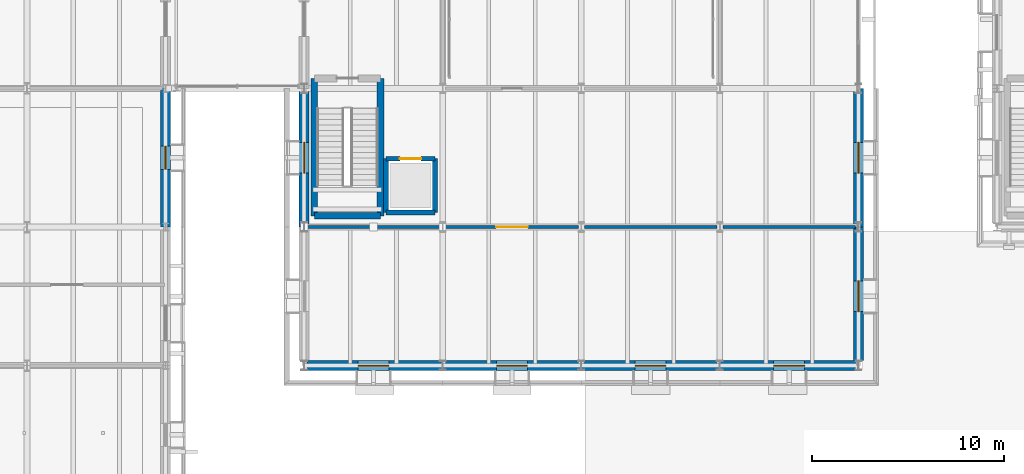
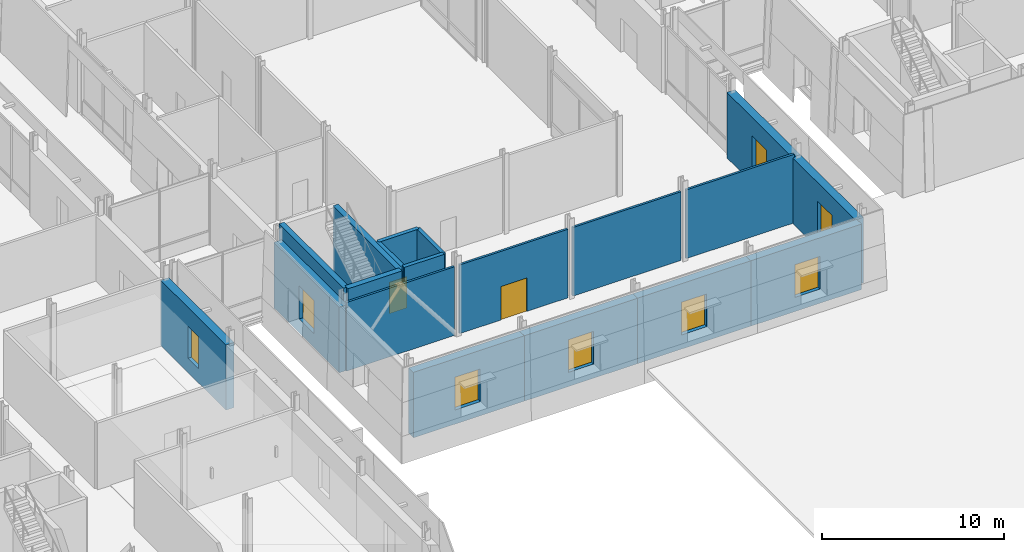
# One storey, part 70 of 120: 19 walls, 8 windows, 2 doors, 10 openings.
"""IFC4 building model written with IfcOpenShell, lengths in metres."""

from ifc_helpers import new_model, si_unit, direction, frame, frame_2d, origin, place, context, subcontext, project, spatial, rectangle, extrude, material, layer, layer_set, type_object, element, fill, save


model = new_model("IFC4")

# Units and contexts
model_context = context("Model", 3, precision=1e-05, world=origin(), true_north=direction((0.0, 1.0)))
body_context = subcontext(model_context, "Body", "Model", "MODEL_VIEW")
ifc_project = project(units=[si_unit("LENGTHUNIT", "METRE"), si_unit("AREAUNIT", "SQUARE_METRE"), si_unit("VOLUMEUNIT", "CUBIC_METRE"), si_unit("PLANEANGLEUNIT", "RADIAN"), si_unit("MASSUNIT", "GRAM", prefix="KILO")], contexts=[model_context])

# Site, building, storey
site_placement = place(None, origin())
site = spatial("IfcSite", under=ifc_project, at=site_placement, CompositionType="ELEMENT")
building_placement = place(site_placement, origin())
building = spatial("IfcBuilding", under=site, at=building_placement, Name="Narikvali Park Central Library", CompositionType="ELEMENT")
storey_placement = place(building_placement, origin())
storey = spatial("IfcBuildingStorey", under=building, at=storey_placement, Name="L00", CompositionType="ELEMENT", Elevation=0.0)

# Wall
ifc_material_1 = material(Name="Gypsum Board on Galvanised Steel Studs", Category="steel")
ifc_layer_1 = layer(ifc_material_1, 0.139892578125, Name="Gypsum Board on Galvanised Steel Studs")
ifc_layer_set_1 = layer_set([ifc_layer_1], Name="Gypsum Board on Galvanised Steel Studs")
wall_type_1 = type_object("IfcWallType", Name="Periodicals Partition Wall 140", PredefinedType="PARTITIONING", material=ifc_layer_set_1)
wall_1_placement = place(storey_placement, frame((28.9541015625, 57.60009765625, 0.0), z_axis=(0.0, 0.0, 1.0), x_axis=(1.0, 0.0, 0.0)))
element("IfcWall", 1, at=wall_1_placement, inside=storey, type_object=wall_type_1, Name="Newspapers and Current Affairs Reading Room Partition N", PredefinedType="PARTITIONING", context=body_context, shape_type="SweptSolid", body=[
    extrude(rectangle(XDim=6.888916015625, YDim=0.139892578125, at=frame_2d((3.4443359375, 0.0))), origin(), (0.0, 0.0, 1.0), 4.614990234375),
])

# Wall, opening, door
wall_2_placement = place(storey_placement, frame((36.156982421875, 57.60009765625, 0.0), z_axis=(0.0, 0.0, 1.0), x_axis=(1.0, 0.0, 0.0)))
wall_2 = element("IfcWall", 2, at=wall_2_placement, inside=storey, type_object=wall_type_1, Name="Newspapers and Current Affairs Reading Room Partition N", PredefinedType="PARTITIONING", context=body_context, shape_type="SweptSolid", body=[
    extrude(rectangle(XDim=6.885986328125, YDim=0.139892578125, at=frame_2d((3.44287109375, 0.0))), origin(), (0.0, 0.0, 1.0), 4.614990234375),
])
opening_1_placement = place(wall_2_placement, frame((2.617919921875, 0.0, 0.0)))
opening_1 = element("IfcOpeningElement", 3, at=opening_1_placement, cuts=wall_2, Name="Opening ID-0087", PredefinedType="OPENING", context=body_context, shape_type="SweptSolid", body=[
    extrude(rectangle(XDim=1.64990234375, YDim=2.25, at=frame_2d((0.824951171875, 1.125))), frame((0.0, 0.08203125, 0.0), z_axis=(0.0, -1.0, 0.0), x_axis=(1.0, 0.0, 0.0)), (0.0, 0.0, 1.0), 0.163818359375),
])
ifc_material_2 = material(Name="Caucasian Oak and Tempered Glass", Category="glass")
door_type_1 = type_object("IfcDoorType", Name="Open Stacks Double Glazed Door 1650x2250", OperationType="DOUBLE_DOOR_SINGLE_SWING", PredefinedType="DOOR", material=ifc_material_2)
door_1_placement = place(opening_1_placement, frame((1.64990234375, 0.0, 0.0), z_axis=(0.0, 0.0, 1.0), x_axis=(-1.0, 0.0, 0.0)))
door_1 = element("IfcDoor", 4, at=door_1_placement, inside=storey, type_object=door_type_1, Name="Newspapers and Current Affairs Reading Room Door ID-0087", OperationType="DOUBLE_DOOR_SINGLE_SWING", OverallHeight=2.25, OverallWidth=1.64990234375, PredefinedType="DOOR", context=body_context, shape_type="SweptSolid", body=[
    extrude(rectangle(XDim=1.64990234375, YDim=2.25, at=frame_2d((0.824951171875, 1.125))), frame((0.0, 0.02490234375, 0.0), z_axis=(0.0, -1.0, 0.0), x_axis=(1.0, 0.0, 0.0)), (0.0, 0.0, 1.0), 0.050048828125),
])
fill(opening_1, door_1)

# Walls
wall_3_placement = place(storey_placement, frame((43.35693359375, 57.60009765625, 0.0), z_axis=(0.0, 0.0, 1.0), x_axis=(1.0, 0.0, 0.0)))
element("IfcWall", 5, at=wall_3_placement, inside=storey, type_object=wall_type_1, Name="Newspapers and Current Affairs Reading Room Partition N", PredefinedType="PARTITIONING", context=body_context, shape_type="SweptSolid", body=[
    extrude(rectangle(XDim=6.885986328125, YDim=0.139892578125, at=frame_2d((3.44287109375, 0.0))), origin(), (0.0, 0.0, 1.0), 4.614990234375),
])
wall_4_placement = place(storey_placement, frame((50.556884765625, 57.60009765625, 0.0), z_axis=(0.0, 0.0, 1.0), x_axis=(1.0, 0.0, 0.0)))
element("IfcWall", 6, at=wall_4_placement, inside=storey, type_object=wall_type_1, Name="Newspapers and Current Affairs Reading Room Partition N", PredefinedType="PARTITIONING", context=body_context, shape_type="SweptSolid", body=[
    extrude(rectangle(XDim=6.88916015625, YDim=0.139892578125, at=frame_2d((3.444580078125, 0.0))), origin(), (0.0, 0.0, 1.0), 4.614990234375),
])
ifc_material_3 = material(Name="Concrete C40/50", Category="concrete")
ifc_layer_2 = layer(ifc_material_3, 0.35009765625, Name="Concrete C40/50")
ifc_layer_set_2 = layer_set([ifc_layer_2], Name="Concrete C40/50")
wall_type_2 = type_object("IfcWallType", Name="Reinforced Concrete Core Shear Wall 350", PredefinedType="SHEAR", material=ifc_layer_set_2)
wall_5_placement = place(storey_placement, frame((29.330078125, 58.179931640625, 0.0), z_axis=(0.0, 0.0, 1.0), x_axis=(1.0, 0.0, 0.0)))
element("IfcWall", 7, at=wall_5_placement, inside=storey, type_object=wall_type_2, Name="C4A L00 Stair Core Shear Wall S", PredefinedType="SHEAR", context=body_context, shape_type="SweptSolid", body=[
    extrude(rectangle(XDim=3.43994140625, YDim=0.35009765625, at=frame_2d((1.719970703125, 0.0))), origin(), (0.0, 0.0, 1.0), 5.1201171875),
])
for number, where, z_axis, x_axis, name in (
    (8, (32.77001953125, 58.179931640625, 0.0), (0.0, 0.0, 1.0), (0.0, 1.0, 0.0), "C4A L00 Stair Core Shear Wall E"),
    (9, (29.330078125, 65.320068359375, 0.0), (0.0, 0.0, 1.0), (0.0, -1.0, 0.0), "C4A L00 Stair Core Shear Wall W"),
):
    element("IfcWall", number, at=place(storey_placement, frame(where, z_axis=z_axis, x_axis=x_axis)), inside=storey, type_object=wall_type_2, Name=name, PredefinedType="SHEAR", context=body_context, shape_type="SweptSolid", body=[
        extrude(rectangle(XDim=7.14013671875, YDim=0.35009765625, at=frame_2d((3.570068359375, 0.0))), origin(), (0.0, 0.0, 1.0), 5.1201171875),
    ])
ifc_layer_3 = layer(ifc_material_3, 0.25, Name="Concrete C40/50")
ifc_layer_set_3 = layer_set([ifc_layer_3], Name="Concrete C40/50")
wall_type_3 = type_object("IfcWallType", Name="Reinforced Concrete Lift Shaft Wall 250", PredefinedType="SHEAR", material=ifc_layer_set_3)
wall_6_placement = place(storey_placement, frame((33.050048828125, 58.35009765625, 0.0), z_axis=(0.0, 0.0, 1.0), x_axis=(1.0, 0.0, 0.0)))
element("IfcWall", 10, at=wall_6_placement, inside=storey, type_object=wall_type_3, Name="L-05 L00 Lift Shaft Wall S", PredefinedType="SHEAR", context=body_context, shape_type="SweptSolid", body=[
    extrude(rectangle(XDim=2.550048828125, YDim=0.25, at=frame_2d((1.27490234375, 0.0))), origin(), (0.0, 0.0, 1.0), 5.1201171875),
])
wall_7_placement = place(storey_placement, frame((35.60009765625, 58.35009765625, 0.0), z_axis=(0.0, 0.0, 1.0), x_axis=(0.0, 1.0, 0.0)))
element("IfcWall", 11, at=wall_7_placement, inside=storey, type_object=wall_type_3, Name="L-05 L00 Lift Shaft Wall E", PredefinedType="SHEAR", context=body_context, shape_type="SweptSolid", body=[
    extrude(rectangle(XDim=2.7998046875, YDim=0.25, at=frame_2d((1.39990234375, 0.0))), origin(), (0.0, 0.0, 1.0), 5.1201171875),
])

# Wall, opening, door
wall_8_placement = place(storey_placement, frame((35.60009765625, 61.14990234375, 0.0), z_axis=(0.0, 0.0, 1.0), x_axis=(-1.0, 0.0, 0.0)))
wall_8 = element("IfcWall", 12, at=wall_8_placement, inside=storey, type_object=wall_type_3, Name="L-05 L00 Lift Shaft Wall N", PredefinedType="SHEAR", context=body_context, shape_type="SweptSolid", body=[
    extrude(rectangle(XDim=2.550048828125, YDim=0.25, at=frame_2d((1.27490234375, 0.0))), origin(), (0.0, 0.0, 1.0), 5.1201171875),
])
opening_2_placement = place(wall_8_placement, frame((0.72509765625, 0.0, 0.0)))
opening_2 = element("IfcOpeningElement", 13, at=opening_2_placement, cuts=wall_8, Name="Opening LD-023", PredefinedType="OPENING", context=body_context, shape_type="SweptSolid", body=[
    extrude(rectangle(XDim=1.10009765625, YDim=2.10009765625, at=frame_2d((0.550048828125, 1.050048828125))), frame((0.0, 0.136962890625, 0.0), z_axis=(0.0, -1.0, 0.0), x_axis=(1.0, 0.0, 0.0)), (0.0, 0.0, 1.0), 0.27392578125),
])
ifc_material_4 = material(Name="Brushed Stainless Steel S355", Category="steel")
door_type_2 = type_object("IfcDoorType", Name="Passenger Lift Sliding Landing Door 1100x2100", OperationType="SLIDING_TO_LEFT", PredefinedType="DOOR", material=ifc_material_4)
door_2_placement = place(opening_2_placement, origin())
door_2 = element("IfcDoor", 14, at=door_2_placement, inside=storey, type_object=door_type_2, Name="L-05 L00 Lift Landing Sliding Door LD-023", OperationType="SLIDING_TO_LEFT", OverallHeight=2.10009765625, OverallWidth=1.10009765625, PredefinedType="DOOR", context=body_context, shape_type="SweptSolid", body=[
    extrude(rectangle(XDim=1.10009765625, YDim=2.10009765625, at=frame_2d((0.550048828125, 1.050048828125))), frame((0.0, 0.02490234375, 0.0), z_axis=(0.0, -1.0, 0.0), x_axis=(1.0, 0.0, 0.0)), (0.0, 0.0, 1.0), 0.050048828125),
])
fill(opening_2, door_2)

# Wall
wall_9_placement = place(storey_placement, frame((33.050048828125, 61.14990234375, 0.0), z_axis=(0.0, 0.0, 1.0), x_axis=(0.0, -1.0, 0.0)))
element("IfcWall", 15, at=wall_9_placement, inside=storey, type_object=wall_type_3, Name="L-05 L00 Lift Shaft Wall W", PredefinedType="SHEAR", context=body_context, shape_type="SweptSolid", body=[
    extrude(rectangle(XDim=2.7998046875, YDim=0.25, at=frame_2d((1.39990234375, 0.0))), origin(), (0.0, 0.0, 1.0), 5.1201171875),
])

# Wall, opening, window
ifc_material_5 = material(Name="White Rusticated Limestone over Concrete C35/45", Category="masonry")
ifc_layer_4 = layer(ifc_material_5, 0.52001953125, Name="White Rusticated Limestone over Concrete C35/45")
ifc_layer_set_4 = layer_set([ifc_layer_4], Name="White Rusticated Limestone over Concrete C35/45")
wall_type_4 = type_object("IfcWallType", Name="White Limestone Ashlar Plinth Wall 520", PredefinedType="SOLIDWALL", material=ifc_layer_set_4)
wall_10_placement = place(storey_placement, frame((28.9541015625, 50.39990234375, 0.0), z_axis=(0.0, 0.0, 1.0), x_axis=(1.0, 0.0, 0.0)))
wall_10 = element("IfcWall", 16, at=wall_10_placement, inside=storey, type_object=wall_type_4, Name="V4 L00 S Exterior Limestone Wall B01", PredefinedType="SOLIDWALL", context=body_context, shape_type="SweptSolid", body=[
    extrude(rectangle(XDim=7.0458984375, YDim=0.52001953125, at=frame_2d((3.52294921875, 0.0))), origin(), (0.0, 0.0, 1.0), 4.39990234375),
])
opening_3_placement = place(wall_10_placement, frame((2.64599609375, 0.0, 0.949951171875)))
opening_3 = element("IfcOpeningElement", 17, at=opening_3_placement, cuts=wall_10, Name="Opening WIN-0127", PredefinedType="OPENING", context=body_context, shape_type="SweptSolid", body=[
    extrude(rectangle(XDim=1.60009765625, YDim=2.199951171875, at=frame_2d((0.800048828125, 1.10009765625))), frame((0.0, 0.27197265625, 0.0), z_axis=(0.0, -1.0, 0.0), x_axis=(1.0, 0.0, 0.0)), (0.0, 0.0, 1.0), 0.5439453125),
])
ifc_material_6 = material(Name="Anodised Bronze Aluminium and Low-E Triple Glazing", Category="aluminium")
window_type_1 = type_object("IfcWindowType", Name="Atrium Reading Wing Classical Window 1600x2200", PartitioningType="DOUBLE_PANEL_VERTICAL", PredefinedType="WINDOW", material=ifc_material_6)
window_1_placement = place(opening_3_placement, origin())
window_1 = element("IfcWindow", 18, at=window_1_placement, inside=storey, type_object=window_type_1, Name="V4 L00 S Deep-Reveal Window WIN-0127", OverallHeight=2.199951171875, OverallWidth=1.60009765625, PartitioningType="SINGLE_PANEL", PredefinedType="WINDOW", context=body_context, shape_type="SweptSolid", body=[
    extrude(rectangle(XDim=1.60009765625, YDim=2.199951171875, at=frame_2d((0.800048828125, 1.10009765625))), frame((0.0, 0.030029296875, 0.0), z_axis=(0.0, -1.0, 0.0), x_axis=(1.0, 0.0, 0.0)), (0.0, 0.0, 1.0), 0.06005859375),
])
fill(opening_3, window_1)

wall_11_placement = place(storey_placement, frame((36.0, 50.39990234375, 0.0), z_axis=(0.0, 0.0, 1.0), x_axis=(1.0, 0.0, 0.0)))
wall_11 = element("IfcWall", 19, at=wall_11_placement, inside=storey, type_object=wall_type_4, Name="V4 L00 S Exterior Limestone Wall B02", PredefinedType="SOLIDWALL", context=body_context, shape_type="SweptSolid", body=[
    extrude(rectangle(XDim=7.199951171875, YDim=0.52001953125, at=frame_2d((3.60009765625, 0.0))), origin(), (0.0, 0.0, 1.0), 4.39990234375),
])
opening_4_placement = place(wall_11_placement, frame((2.800048828125, 0.0, 0.949951171875)))
opening_4 = element("IfcOpeningElement", 20, at=opening_4_placement, cuts=wall_11, Name="Opening WIN-0128", PredefinedType="OPENING", context=body_context, shape_type="SweptSolid", body=[
    extrude(rectangle(XDim=1.60009765625, YDim=2.199951171875, at=frame_2d((0.800048828125, 1.10009765625))), frame((0.0, 0.27197265625, 0.0), z_axis=(0.0, -1.0, 0.0), x_axis=(1.0, 0.0, 0.0)), (0.0, 0.0, 1.0), 0.5439453125),
])
window_2_placement = place(opening_4_placement, origin())
window_2 = element("IfcWindow", 21, at=window_2_placement, inside=storey, type_object=window_type_1, Name="V4 L00 S Deep-Reveal Window WIN-0128", OverallHeight=2.199951171875, OverallWidth=1.60009765625, PartitioningType="SINGLE_PANEL", PredefinedType="WINDOW", context=body_context, shape_type="SweptSolid", body=[
    extrude(rectangle(XDim=1.60009765625, YDim=2.199951171875, at=frame_2d((0.800048828125, 1.10009765625))), frame((0.0, 0.030029296875, 0.0), z_axis=(0.0, -1.0, 0.0), x_axis=(1.0, 0.0, 0.0)), (0.0, 0.0, 1.0), 0.06005859375),
])
fill(opening_4, window_2)

wall_12_placement = place(storey_placement, frame((43.199951171875, 50.39990234375, 0.0), z_axis=(0.0, 0.0, 1.0), x_axis=(1.0, 0.0, 0.0)))
wall_12 = element("IfcWall", 22, at=wall_12_placement, inside=storey, type_object=wall_type_4, Name="V4 L00 S Exterior Limestone Wall B03", PredefinedType="SOLIDWALL", context=body_context, shape_type="SweptSolid", body=[
    extrude(rectangle(XDim=7.199951171875, YDim=0.52001953125, at=frame_2d((3.60009765625, 0.0))), origin(), (0.0, 0.0, 1.0), 4.39990234375),
])
opening_5_placement = place(wall_12_placement, frame((2.800048828125, 0.0, 0.949951171875)))
opening_5 = element("IfcOpeningElement", 23, at=opening_5_placement, cuts=wall_12, Name="Opening WIN-0129", PredefinedType="OPENING", context=body_context, shape_type="SweptSolid", body=[
    extrude(rectangle(XDim=1.60009765625, YDim=2.199951171875, at=frame_2d((0.800048828125, 1.10009765625))), frame((0.0, 0.27197265625, 0.0), z_axis=(0.0, -1.0, 0.0), x_axis=(1.0, 0.0, 0.0)), (0.0, 0.0, 1.0), 0.5439453125),
])
window_3_placement = place(opening_5_placement, origin())
window_3 = element("IfcWindow", 24, at=window_3_placement, inside=storey, type_object=window_type_1, Name="V4 L00 S Deep-Reveal Window WIN-0129", OverallHeight=2.199951171875, OverallWidth=1.60009765625, PartitioningType="SINGLE_PANEL", PredefinedType="WINDOW", context=body_context, shape_type="SweptSolid", body=[
    extrude(rectangle(XDim=1.60009765625, YDim=2.199951171875, at=frame_2d((0.800048828125, 1.10009765625))), frame((0.0, 0.030029296875, 0.0), z_axis=(0.0, -1.0, 0.0), x_axis=(1.0, 0.0, 0.0)), (0.0, 0.0, 1.0), 0.06005859375),
])
fill(opening_5, window_3)

wall_13_placement = place(storey_placement, frame((50.39990234375, 50.39990234375, 0.0), z_axis=(0.0, 0.0, 1.0), x_axis=(1.0, 0.0, 0.0)))
wall_13 = element("IfcWall", 25, at=wall_13_placement, inside=storey, type_object=wall_type_4, Name="V4 L00 S Exterior Limestone Wall B04", PredefinedType="SOLIDWALL", context=body_context, shape_type="SweptSolid", body=[
    extrude(rectangle(XDim=7.046142578125, YDim=0.52001953125, at=frame_2d((3.52294921875, 0.0))), origin(), (0.0, 0.0, 1.0), 4.39990234375),
])
opening_6_placement = place(wall_13_placement, frame((2.800048828125, 0.0, 0.949951171875)))
opening_6 = element("IfcOpeningElement", 26, at=opening_6_placement, cuts=wall_13, Name="Opening WIN-0130", PredefinedType="OPENING", context=body_context, shape_type="SweptSolid", body=[
    extrude(rectangle(XDim=1.60009765625, YDim=2.199951171875, at=frame_2d((0.800048828125, 1.10009765625))), frame((0.0, 0.27197265625, 0.0), z_axis=(0.0, -1.0, 0.0), x_axis=(1.0, 0.0, 0.0)), (0.0, 0.0, 1.0), 0.5439453125),
])
window_4_placement = place(opening_6_placement, origin())
window_4 = element("IfcWindow", 27, at=window_4_placement, inside=storey, type_object=window_type_1, Name="V4 L00 S Deep-Reveal Window WIN-0130", OverallHeight=2.199951171875, OverallWidth=1.60009765625, PartitioningType="SINGLE_PANEL", PredefinedType="WINDOW", context=body_context, shape_type="SweptSolid", body=[
    extrude(rectangle(XDim=1.60009765625, YDim=2.199951171875, at=frame_2d((0.800048828125, 1.10009765625))), frame((0.0, 0.030029296875, 0.0), z_axis=(0.0, -1.0, 0.0), x_axis=(1.0, 0.0, 0.0)), (0.0, 0.0, 1.0), 0.06005859375),
])
fill(opening_6, window_4)

wall_14_placement = place(storey_placement, frame((57.60009765625, 50.654052734375, 0.0), z_axis=(0.0, 0.0, 1.0), x_axis=(0.0, 1.0, 0.0)))
wall_14 = element("IfcWall", 28, at=wall_14_placement, inside=storey, type_object=wall_type_4, Name="V4 L00 E Exterior Limestone Wall B01", PredefinedType="SOLIDWALL", context=body_context, shape_type="SweptSolid", body=[
    extrude(rectangle(XDim=6.946044921875, YDim=0.52001953125, at=frame_2d((3.47314453125, 0.0))), origin(), (0.0, 0.0, 1.0), 4.39990234375),
])
opening_7_placement = place(wall_14_placement, frame((2.5458984375, 0.0, 0.949951171875)))
opening_7 = element("IfcOpeningElement", 29, at=opening_7_placement, cuts=wall_14, Name="Opening WIN-0131", PredefinedType="OPENING", context=body_context, shape_type="SweptSolid", body=[
    extrude(rectangle(XDim=1.60009765625, YDim=2.199951171875, at=frame_2d((0.800048828125, 1.10009765625))), frame((0.0, 0.27197265625, 0.0), z_axis=(0.0, -1.0, 0.0), x_axis=(1.0, 0.0, 0.0)), (0.0, 0.0, 1.0), 0.5439453125),
])
window_5_placement = place(opening_7_placement, origin())
window_5 = element("IfcWindow", 30, at=window_5_placement, inside=storey, type_object=window_type_1, Name="V4 L00 E Deep-Reveal Window WIN-0131", OverallHeight=2.199951171875, OverallWidth=1.60009765625, PartitioningType="SINGLE_PANEL", PredefinedType="WINDOW", context=body_context, shape_type="SweptSolid", body=[
    extrude(rectangle(XDim=1.60009765625, YDim=2.199951171875, at=frame_2d((0.800048828125, 1.10009765625))), frame((0.0, 0.030029296875, 0.0), z_axis=(0.0, -1.0, 0.0), x_axis=(1.0, 0.0, 0.0)), (0.0, 0.0, 1.0), 0.06005859375),
])
fill(opening_7, window_5)

wall_15_placement = place(storey_placement, frame((57.60009765625, 57.60009765625, 0.0), z_axis=(0.0, 0.0, 1.0), x_axis=(0.0, 1.0, 0.0)))
wall_15 = element("IfcWall", 31, at=wall_15_placement, inside=storey, type_object=wall_type_4, Name="V4 L00 E Exterior Limestone Wall B02", PredefinedType="SOLIDWALL", context=body_context, shape_type="SweptSolid", body=[
    extrude(rectangle(XDim=7.199951171875, YDim=0.52001953125, at=frame_2d((3.60009765625, 0.0))), origin(), (0.0, 0.0, 1.0), 4.39990234375),
])
opening_8_placement = place(wall_15_placement, frame((2.800048828125, 0.0, 0.949951171875)))
opening_8 = element("IfcOpeningElement", 32, at=opening_8_placement, cuts=wall_15, Name="Opening WIN-0132", PredefinedType="OPENING", context=body_context, shape_type="SweptSolid", body=[
    extrude(rectangle(XDim=1.60009765625, YDim=2.199951171875, at=frame_2d((0.800048828125, 1.10009765625))), frame((0.0, 0.27197265625, 0.0), z_axis=(0.0, -1.0, 0.0), x_axis=(1.0, 0.0, 0.0)), (0.0, 0.0, 1.0), 0.5439453125),
])
window_6_placement = place(opening_8_placement, origin())
window_6 = element("IfcWindow", 33, at=window_6_placement, inside=storey, type_object=window_type_1, Name="V4 L00 E Deep-Reveal Window WIN-0132", OverallHeight=2.199951171875, OverallWidth=1.60009765625, PartitioningType="SINGLE_PANEL", PredefinedType="WINDOW", context=body_context, shape_type="SweptSolid", body=[
    extrude(rectangle(XDim=1.60009765625, YDim=2.199951171875, at=frame_2d((0.800048828125, 1.10009765625))), frame((0.0, 0.030029296875, 0.0), z_axis=(0.0, -1.0, 0.0), x_axis=(1.0, 0.0, 0.0)), (0.0, 0.0, 1.0), 0.06005859375),
])
fill(opening_8, window_6)

wall_16_placement = place(storey_placement, frame((28.800048828125, 64.800048828125, 0.0), z_axis=(0.0, 0.0, 1.0), x_axis=(0.0, -1.0, 0.0)))
wall_16 = element("IfcWall", 34, at=wall_16_placement, inside=storey, type_object=wall_type_4, Name="V4 L00 W Exterior Limestone Wall B08", PredefinedType="SOLIDWALL", context=body_context, shape_type="SweptSolid", body=[
    extrude(rectangle(XDim=7.199951171875, YDim=0.52001953125, at=frame_2d((3.60009765625, 0.0))), origin(), (0.0, 0.0, 1.0), 4.39990234375),
])
opening_9_placement = place(wall_16_placement, frame((2.800048828125, 0.0, 0.949951171875)))
opening_9 = element("IfcOpeningElement", 35, at=opening_9_placement, cuts=wall_16, Name="Opening WIN-0141", PredefinedType="OPENING", context=body_context, shape_type="SweptSolid", body=[
    extrude(rectangle(XDim=1.60009765625, YDim=2.199951171875, at=frame_2d((0.800048828125, 1.10009765625))), frame((0.0, 0.27197265625, 0.0), z_axis=(0.0, -1.0, 0.0), x_axis=(1.0, 0.0, 0.0)), (0.0, 0.0, 1.0), 0.5439453125),
])
window_7_placement = place(opening_9_placement, origin())
window_7 = element("IfcWindow", 36, at=window_7_placement, inside=storey, type_object=window_type_1, Name="V4 L00 W Deep-Reveal Window WIN-0141", OverallHeight=2.199951171875, OverallWidth=1.60009765625, PartitioningType="SINGLE_PANEL", PredefinedType="WINDOW", context=body_context, shape_type="SweptSolid", body=[
    extrude(rectangle(XDim=1.60009765625, YDim=2.199951171875, at=frame_2d((0.800048828125, 1.10009765625))), frame((0.0, 0.030029296875, 0.0), z_axis=(0.0, -1.0, 0.0), x_axis=(1.0, 0.0, 0.0)), (0.0, 0.0, 1.0), 0.06005859375),
])
fill(opening_9, window_7)

wall_17_placement = place(storey_placement, frame((21.60009765625, 57.60009765625, 0.0), z_axis=(0.0, 0.0, 1.0), x_axis=(0.0, 1.0, 0.0)))
wall_17 = element("IfcWall", 37, at=wall_17_placement, inside=storey, type_object=wall_type_4, Name="V5 L00 E Exterior Limestone Wall B05", PredefinedType="SOLIDWALL", context=body_context, shape_type="SweptSolid", body=[
    extrude(rectangle(XDim=7.199951171875, YDim=0.52001953125, at=frame_2d((3.60009765625, 0.0))), origin(), (0.0, 0.0, 1.0), 4.3798828125),
])
opening_10_placement = place(wall_17_placement, frame((3.0, 0.0, 0.949951171875)))
opening_10 = element("IfcOpeningElement", 38, at=opening_10_placement, cuts=wall_17, Name="Opening WIN-0227", PredefinedType="OPENING", context=body_context, shape_type="SweptSolid", body=[
    extrude(rectangle(XDim=1.199951171875, YDim=2.14990234375, at=frame_2d((0.60009765625, 1.074951171875))), frame((0.0, 0.27197265625, 0.0), z_axis=(0.0, -1.0, 0.0), x_axis=(1.0, 0.0, 0.0)), (0.0, 0.0, 1.0), 0.5439453125),
])
window_type_2 = type_object("IfcWindowType", Name="Stacks Archive Deep-Reveal Punched Window 1200x2150", PartitioningType="SINGLE_PANEL", PredefinedType="WINDOW", material=ifc_material_6)
window_8_placement = place(opening_10_placement, origin())
window_8 = element("IfcWindow", 39, at=window_8_placement, inside=storey, type_object=window_type_2, Name="V5 L00 E Deep-Reveal Window WIN-0227", OverallHeight=2.14990234375, OverallWidth=1.199951171875, PartitioningType="SINGLE_PANEL", PredefinedType="WINDOW", context=body_context, shape_type="SweptSolid", body=[
    extrude(rectangle(XDim=1.199951171875, YDim=2.14990234375, at=frame_2d((0.60009765625, 1.074951171875))), frame((0.0, 0.030029296875, 0.0), z_axis=(0.0, -1.0, 0.0), x_axis=(1.0, 0.0, 0.0)), (0.0, 0.0, 1.0), 0.06005859375),
])
fill(opening_10, window_8)

save(model, "model.ifc")
